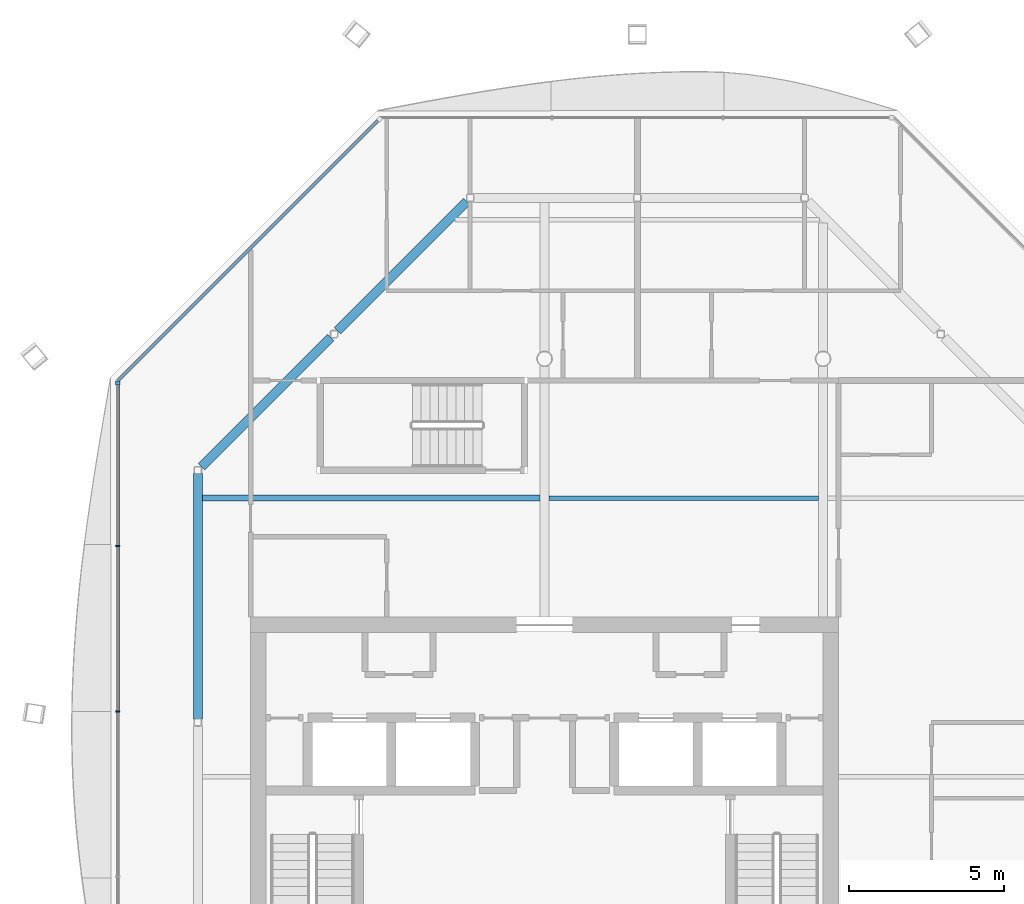
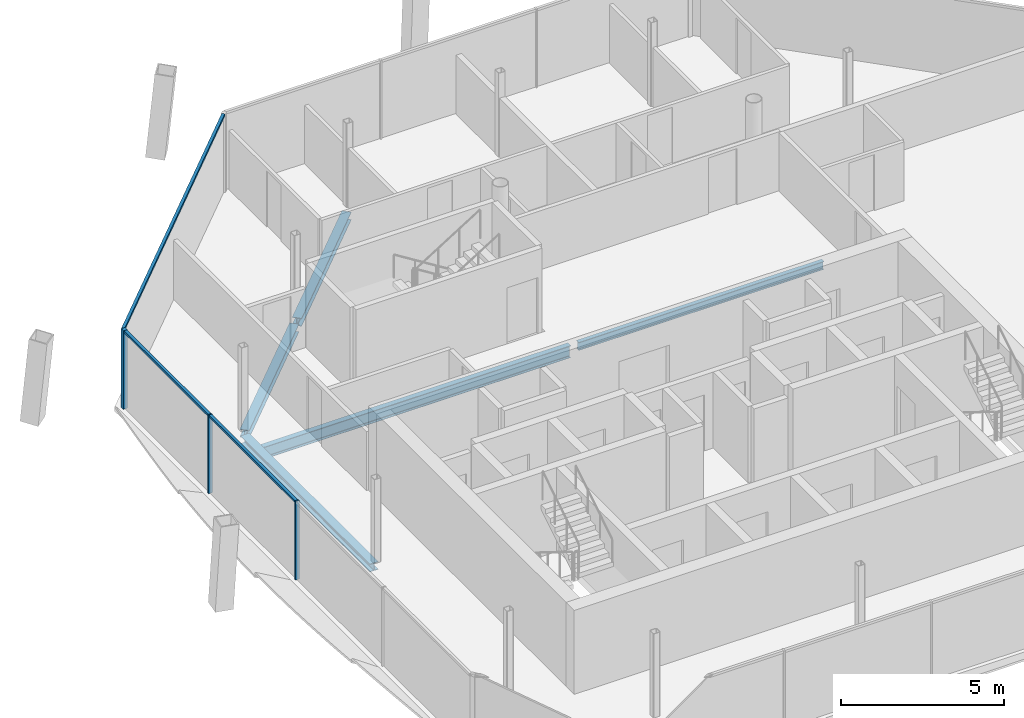
# One storey, part 5 of 16: 6 members, 5 beams, 2 elements without a shape of their own.
"""IFC4 building model written with IfcOpenShell, lengths in metres."""

from ifc_helpers import new_model, si_unit, direction, frame, origin, origin_2d, place, context, subcontext, project, spatial, rectangle, i_section, extrude, material, material_profile, profile_set, type_object, element, aggregate, save


model = new_model("IFC4")

# Units and contexts
model_context = context("Model", 3, precision=1e-05, world=origin(), true_north=direction((0.0, 1.0)))
body_context = subcontext(model_context, "Body", "Model", "MODEL_VIEW")
ifc_project = project(units=[si_unit("LENGTHUNIT", "METRE"), si_unit("AREAUNIT", "SQUARE_METRE"), si_unit("VOLUMEUNIT", "CUBIC_METRE"), si_unit("PLANEANGLEUNIT", "RADIAN"), si_unit("MASSUNIT", "GRAM", prefix="KILO")], contexts=[model_context])

# Site, building, storey
site_placement = place(None, origin())
site = spatial("IfcSite", under=ifc_project, at=site_placement, CompositionType="ELEMENT")
building_placement = place(site_placement, origin())
building = spatial("IfcBuilding", under=site, at=building_placement, Name="Tskaro Facet Tower", CompositionType="ELEMENT")
storey_placement = place(building_placement, frame((0.0, 0.0, 265.800048828125)))
storey = spatial("IfcBuildingStorey", under=building, at=storey_placement, Name="L70", CompositionType="ELEMENT", Elevation=265.800048828125)

# Curtain wall, members
ifc_material_1 = material(Name="Bronze anodised aluminium 6063-T6", Category="aluminium")
curtain_wall_type = type_object("IfcCurtainWallType", Name="Bronze residence curtain wall (FW3)", PredefinedType="NOTDEFINED", material=ifc_material_1)
curtain_wall_1_placement = place(storey_placement, origin())
curtain_wall_1 = element("IfcCurtainWall", 1, at=curtain_wall_1_placement, inside=storey, type_object=curtain_wall_type, Name="FW3 west facet L70", PredefinedType="NOTDEFINED")
ifc_material_profile_1 = material_profile(ifc_material_1, rectangle(XDim=0.139892578125, YDim=0.139892578125, at=origin_2d()), Name="Corner post 140x140")
ifc_profile_set_1 = profile_set([ifc_material_profile_1], Name="Bronze anodised aluminium 6063-T6")
member_type_1 = type_object("IfcMemberType", Name="FW3 bronze corner post 140x140", PredefinedType="MULLION", material=ifc_profile_set_1)
member_1_placement = place(storey_placement, frame((-13.79296875, 8.217041015625, 0.0), z_axis=(0.0, 0.0, 1.0), x_axis=(0.0, -1.0, 0.0)))
member_1 = element("IfcMember", 2, at=member_1_placement, type_object=member_type_1, Name="FW3 west corner post", PredefinedType="MULLION", context=body_context, shape_type="SweptSolid", body=[
    extrude(rectangle(XDim=0.139892578125, YDim=0.139892578125, at=origin_2d()), origin(), (0.0, 0.0, 1.0), 2.949951171875),
])
ifc_material_profile_2 = material_profile(ifc_material_1, rectangle(XDim=0.050048828125, YDim=0.139892578125, at=origin_2d()), Name="Mullion 50x140")
ifc_profile_set_2 = profile_set([ifc_material_profile_2], Name="Bronze anodised aluminium 6063-T6")
member_type_2 = type_object("IfcMemberType", Name="FW3 bronze mullion 50x140", PredefinedType="MULLION", material=ifc_profile_set_2)
member_2_placement = place(storey_placement, frame((-13.79296875, 2.94775390625, 0.0), z_axis=(0.0, 0.0, 1.0), x_axis=(0.0, -1.0, 0.0)))
member_2 = element("IfcMember", 3, at=member_2_placement, type_object=member_type_2, Name="FW3 west mullion 1", PredefinedType="MULLION", context=body_context, shape_type="SweptSolid", body=[
    extrude(rectangle(XDim=0.050048828125, YDim=0.139892578125, at=origin_2d()), origin(), (0.0, 0.0, 1.0), 2.949951171875),
])
member_3_placement = place(storey_placement, frame((-13.79296875, -2.3916015625, 0.0), z_axis=(0.0, 0.0, 1.0), x_axis=(0.0, -1.0, 0.0)))
member_3 = element("IfcMember", 4, at=member_3_placement, type_object=member_type_2, Name="FW3 west mullion 2", PredefinedType="MULLION", context=body_context, shape_type="SweptSolid", body=[
    extrude(rectangle(XDim=0.050048828125, YDim=0.139892578125, at=origin_2d()), origin(), (0.0, 0.0, 1.0), 2.949951171875),
])

# Curtain wall, member
curtain_wall_2_placement = place(storey_placement, origin())
curtain_wall_2 = element("IfcCurtainWall", 5, at=curtain_wall_2_placement, inside=storey, type_object=curtain_wall_type, Name="FW3 north-west facet L70", PredefinedType="NOTDEFINED")
ifc_material_profile_3 = material_profile(ifc_material_1, rectangle(XDim=0.10009765625, YDim=0.090087890625, at=origin_2d()), Name="Transom 100x90")
ifc_profile_set_3 = profile_set([ifc_material_profile_3], Name="Bronze anodised aluminium 6063-T6")
member_type_3 = type_object("IfcMemberType", Name="FW3 bronze transom 100x90", PredefinedType="USERDEFINED", material=ifc_profile_set_3)
member_4_placement = place(storey_placement, frame((-5.385986328125, 16.694091796875, 2.905029296875), z_axis=(-0.707106781187, -0.707106781187, 0.0), x_axis=(0.707106781187, -0.707106781187, 0.0)))
member_4 = element("IfcMember", 6, at=member_4_placement, type_object=member_type_3, Name="FW3 north-west transom 1.1", ObjectType="TRANSOM", PredefinedType="USERDEFINED", context=body_context, shape_type="SweptSolid", body=[
    extrude(rectangle(XDim=0.10009765625, YDim=0.090087890625, at=origin_2d()), origin(), (0.0, 0.0, 1.0), 11.88916015625),
])
aggregate(curtain_wall_2, [member_4])

# Member
member_5_placement = place(storey_placement, frame((-13.79296875, 8.14697265625, 2.905029296875), z_axis=(0.0, -1.0, 0.0), x_axis=(1.0, 0.0, 0.0)))
member_5 = element("IfcMember", 7, at=member_5_placement, type_object=member_type_3, Name="FW3 west transom 1.1", ObjectType="TRANSOM", PredefinedType="USERDEFINED", context=body_context, shape_type="SweptSolid", body=[
    extrude(rectangle(XDim=0.10009765625, YDim=0.090087890625, at=origin_2d()), origin(), (0.0, 0.0, 1.0), 5.17431640625),
])

member_6_placement = place(storey_placement, frame((-13.79296875, 2.9228515625, 2.905029296875), z_axis=(0.0, -1.0, 0.0), x_axis=(1.0, 0.0, 0.0)))
member_6 = element("IfcMember", 8, at=member_6_placement, type_object=member_type_3, Name="FW3 west transom 2.1", ObjectType="TRANSOM", PredefinedType="USERDEFINED", context=body_context, shape_type="SweptSolid", body=[
    extrude(rectangle(XDim=0.10009765625, YDim=0.090087890625, at=origin_2d()), origin(), (0.0, 0.0, 1.0), 5.289306640625),
])

aggregate(curtain_wall_1, [member_1, member_2, member_3, member_5, member_6])

# Beams
ifc_material_2 = material(Name="Steel S355J2", Category="steel")
ifc_material_profile_4 = material_profile(ifc_material_2, i_section(OverallWidth=0.300048828125, OverallDepth=0.300048828125, WebThickness=0.010986328125, FlangeThickness=0.01904296875, FilletRadius=0.027099609375, at=origin_2d()), Name="HE 300 B")
ifc_profile_set_4 = profile_set([ifc_material_profile_4], Name="Steel S355J2")
beam_type_1 = type_object("IfcBeamType", Name="HE 300 B ring beam", PredefinedType="BEAM", material=ifc_profile_set_4)
for number, where, z_axis, x_axis, name in (
    (9, (-2.513916015625, 14.089111328125, -0.2900390625), (-0.707024112481, -0.707189440228, 0.0), (0.707189440228, -0.707024112481, 0.0), "HE 300 B EB11-6"),
    (10, (-6.911865234375, 9.690185546875, -0.2900390625), (-0.707189440228, -0.707024112481, 0.0), (0.707024112481, -0.707189440228, 0.0), "HE 300 B EB12-6"),
):
    element("IfcBeam", number, at=place(storey_placement, frame(where, z_axis=z_axis, x_axis=x_axis)), inside=storey, type_object=beam_type_1, Name=name, PredefinedType="BEAM", context=body_context, shape_type="SweptSolid", body=[
        extrude(i_section(OverallWidth=0.300048828125, OverallDepth=0.300048828125, WebThickness=0.010986328125, FlangeThickness=0.01904296875, FilletRadius=0.027099609375, at=origin_2d()), origin(), (0.0, 0.0, 1.0), 5.90673828125),
    ])
beam_1_placement = place(storey_placement, frame((-11.199951171875, 5.298095703125, -0.2900390625), z_axis=(0.0, -1.0, 0.0), x_axis=(1.0, 0.0, 0.0)))
element("IfcBeam", 11, at=beam_1_placement, inside=storey, type_object=beam_type_1, Name="HE 300 B EB13-6", PredefinedType="BEAM", context=body_context, shape_type="SweptSolid", body=[
    extrude(i_section(OverallWidth=0.300048828125, OverallDepth=0.300048828125, WebThickness=0.010986328125, FlangeThickness=0.01904296875, FilletRadius=0.027099609375, at=origin_2d()), origin(), (0.0, 0.0, 1.0), 7.943115234375),
])
ifc_material_profile_5 = material_profile(ifc_material_2, i_section(OverallWidth=0.14990234375, OverallDepth=0.300048828125, WebThickness=0.007080078125, FlangeThickness=0.0107421875, FilletRadius=0.014892578125, at=origin_2d()), Name="IPE 300")
ifc_profile_set_5 = profile_set([ifc_material_profile_5], Name="Steel S355J2")
beam_type_2 = type_object("IfcBeamType", Name="IPE 300 secondary beam", PredefinedType="BEAM", material=ifc_profile_set_5)
beam_2_placement = place(storey_placement, frame((0.14990234375, 4.5, -0.2900390625), z_axis=(1.0, 0.0, 0.0), x_axis=(0.0, 1.0, 0.0)))
element("IfcBeam", 12, at=beam_2_placement, inside=storey, type_object=beam_type_2, Name="IPE 300 SB4a-2-6", PredefinedType="BEAM", context=body_context, shape_type="SweptSolid", body=[
    extrude(i_section(OverallWidth=0.14990234375, OverallDepth=0.300048828125, WebThickness=0.007080078125, FlangeThickness=0.0107421875, FilletRadius=0.014892578125, at=origin_2d()), origin(), (0.0, 0.0, 1.0), 8.7001953125),
])
ifc_material_profile_6 = material_profile(ifc_material_2, i_section(OverallWidth=0.18994140625, OverallDepth=0.449951171875, WebThickness=0.009521484375, FlangeThickness=0.0146484375, FilletRadius=0.02099609375, at=origin_2d()), Name="IPE 450")
ifc_profile_set_6 = profile_set([ifc_material_profile_6], Name="Steel S355J2")
beam_type_3 = type_object("IfcBeamType", Name="IPE 450 long secondary beam", PredefinedType="BEAM", material=ifc_profile_set_6)
beam_3_placement = place(storey_placement, frame((-11.050048828125, 4.5, -0.364990234375), z_axis=(1.0, 0.0, 0.0), x_axis=(0.0, 1.0, 0.0)))
element("IfcBeam", 13, at=beam_3_placement, inside=storey, type_object=beam_type_3, Name="IPE 450 LSB4a-1-6", PredefinedType="BEAM", context=body_context, shape_type="SweptSolid", body=[
    extrude(i_section(OverallWidth=0.18994140625, OverallDepth=0.449951171875, WebThickness=0.009521484375, FlangeThickness=0.0146484375, FilletRadius=0.02099609375, at=origin_2d()), origin(), (0.0, 0.0, 1.0), 10.900146484375),
])

save(model, "model.ifc")
